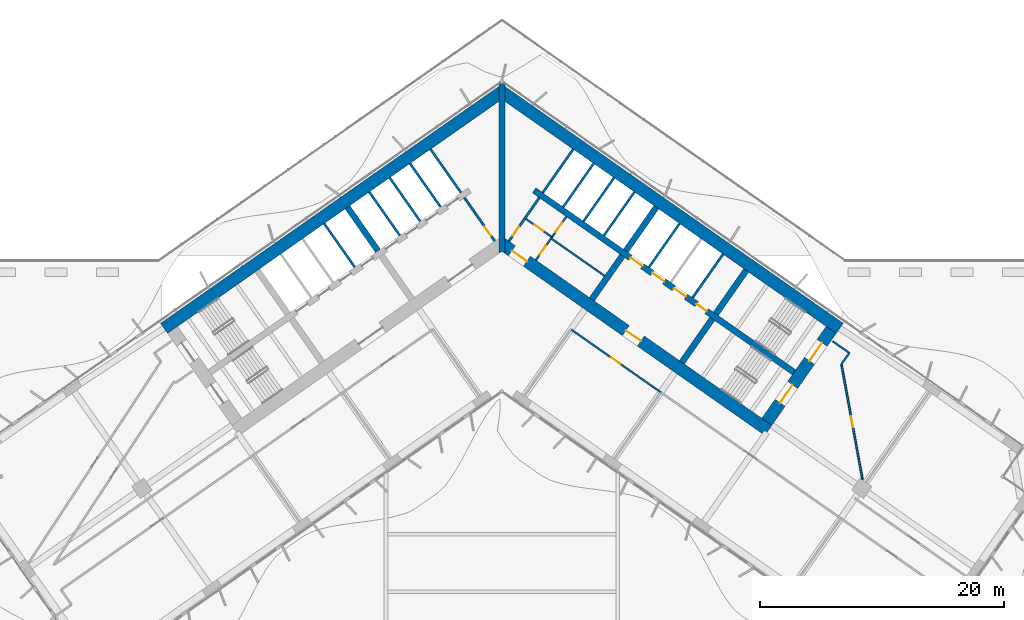
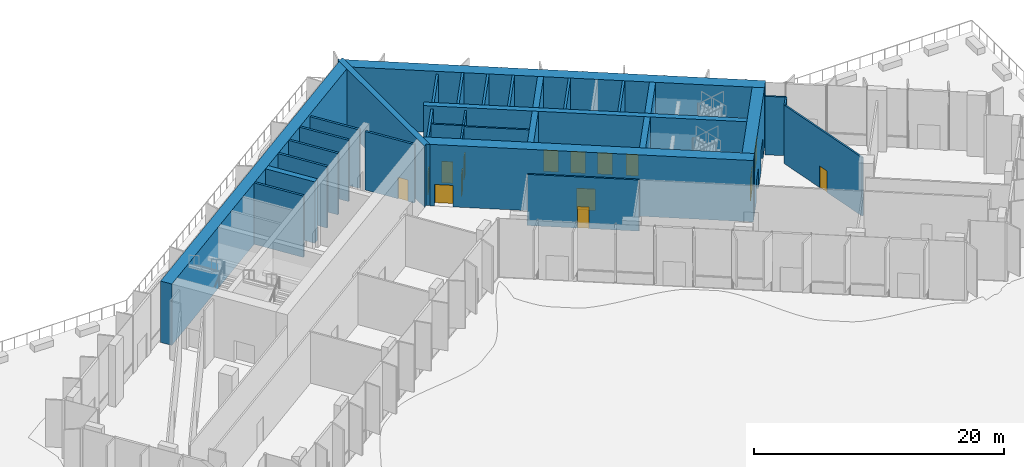
# One storey, part 19 of 27: 31 walls, 15 doors, 15 openings.
"""IFC4 building model written with IfcOpenShell, lengths in metres."""

from ifc_helpers import new_model, si_unit, direction, frame, frame_2d, origin, place, context, subcontext, project, spatial, polyline, rectangle, outline, extrude, material, layer, layer_set, type_object, element, fill, save


model = new_model("IFC4")

# Units and contexts
model_context = context("Model", 3, precision=1e-05, world=origin(), true_north=direction((0.0, 1.0)))
body_context = subcontext(model_context, "Body", "Model", "MODEL_VIEW")
ifc_project = project(units=[si_unit("LENGTHUNIT", "METRE"), si_unit("AREAUNIT", "SQUARE_METRE"), si_unit("VOLUMEUNIT", "CUBIC_METRE"), si_unit("PLANEANGLEUNIT", "RADIAN"), si_unit("MASSUNIT", "GRAM", prefix="KILO")], contexts=[model_context])

# Site, building, storey
site_placement = place(None, origin())
site = spatial("IfcSite", under=ifc_project, at=site_placement, CompositionType="ELEMENT")
building_placement = place(site_placement, origin())
building = spatial("IfcBuilding", under=site, at=building_placement, Name="Tel Ilan Convention Tower", CompositionType="ELEMENT")
storey_placement = place(building_placement, frame((0.0, 0.0, 48.5)))
storey = spatial("IfcBuildingStorey", under=building, at=storey_placement, Name="L07", CompositionType="ELEMENT", Elevation=48.5)

# Wall, openings, doors
ifc_material_1 = material(Name="Gypsum Plasterboard on Steel Stud", Category="steel")
ifc_layer_1 = layer(ifc_material_1, 0.14990234375)
ifc_layer_set_1 = layer_set([ifc_layer_1], Name="Core Room Partition Wall 150 mm EI 60")
wall_type_1 = type_object("IfcWallType", Name="Core Room Partition Wall 150 mm EI 60", PredefinedType="PARTITIONING", material=ifc_layer_set_1)
wall_1_placement = place(storey_placement, frame((2.78515625, -1.9501953125, 0.0), z_axis=(0.0, 0.0, 1.0), x_axis=(0.57356780395, 0.819158088694, 0.0)))
wall_1 = element("IfcWall", 1, at=wall_1_placement, inside=storey, type_object=wall_type_1, Name="L07 core wall wc-v1", PredefinedType="PARTITIONING", context=body_context, shape_type="SweptSolid", body=[
    extrude(rectangle(XDim=4.35009765625, YDim=0.14990234375, at=frame_2d((2.175048828125, 0.0))), origin(), (0.0, 0.0, 1.0), 5.719970703125),
])
opening_1_placement = place(wall_1_placement, frame((0.550048828125, 0.0, 0.0)))
opening_1 = element("IfcOpeningElement", 2, at=opening_1_placement, cuts=wall_1, Name="Opening CD1009", PredefinedType="OPENING", context=body_context, shape_type="SweptSolid", body=[
    extrude(rectangle(XDim=0.89990234375, YDim=2.10009765625, at=frame_2d((0.449951171875, 1.050048828125))), frame((0.0, 0.0849609375, 0.0), z_axis=(0.0, -1.0, 0.0), x_axis=(1.0, 0.0, 0.0)), (0.0, 0.0, 1.0), 0.169921875),
])
opening_2_placement = place(wall_1_placement, frame((2.824951171875, 0.0, 0.0)))
opening_2 = element("IfcOpeningElement", 3, at=opening_2_placement, cuts=wall_1, Name="Opening CD1010", PredefinedType="OPENING", context=body_context, shape_type="SweptSolid", body=[
    extrude(rectangle(XDim=0.89990234375, YDim=2.10009765625, at=frame_2d((0.449951171875, 1.050048828125))), frame((0.0, 0.0849609375, 0.0), z_axis=(0.0, -1.0, 0.0), x_axis=(1.0, 0.0, 0.0)), (0.0, 0.0, 1.0), 0.169921875),
])
ifc_material_2 = material(Name="Laminated Timber Door Leaf", Category="wood")
door_type_1 = type_object("IfcDoorType", Name="Toilet Door 900 x 2100 FD30S", OperationType="NOTDEFINED", PredefinedType="DOOR", material=ifc_material_2)
door_1_placement = place(opening_1_placement, origin())
door_1 = element("IfcDoor", 4, at=door_1_placement, inside=storey, type_object=door_type_1, Name="Women's WC door", OperationType="SINGLE_SWING_RIGHT", OverallHeight=2.10009765625, OverallWidth=0.89990234375, PredefinedType="DOOR", context=body_context, shape_type="SweptSolid", body=[
    extrude(rectangle(XDim=0.89990234375, YDim=2.10009765625, at=frame_2d((0.449951171875, 1.050048828125))), frame((0.0, 0.02490234375, 0.0), z_axis=(0.0, -1.0, 0.0), x_axis=(1.0, 0.0, 0.0)), (0.0, 0.0, 1.0), 0.050048828125),
])
fill(opening_1, door_1)
door_2_placement = place(opening_2_placement, origin())
door_2 = element("IfcDoor", 5, at=door_2_placement, inside=storey, type_object=door_type_1, Name="Men's WC door", OperationType="SINGLE_SWING_RIGHT", OverallHeight=2.10009765625, OverallWidth=0.89990234375, PredefinedType="DOOR", context=body_context, shape_type="SweptSolid", body=[
    extrude(rectangle(XDim=0.89990234375, YDim=2.10009765625, at=frame_2d((0.449951171875, 1.050048828125))), frame((0.0, 0.02490234375, 0.0), z_axis=(0.0, -1.0, 0.0), x_axis=(1.0, 0.0, 0.0)), (0.0, 0.0, 1.0), 0.050048828125),
])
fill(opening_2, door_2)

# Wall, opening, door
wall_2_placement = place(storey_placement, frame((1.974609375, 1.42529296875, 0.0), z_axis=(0.0, 0.0, 1.0), x_axis=(0.819103967032, -0.573645091666, 0.0)))
wall_2 = element("IfcWall", 6, at=wall_2_placement, inside=storey, type_object=wall_type_1, Name="L07 core wall wc-h1", PredefinedType="PARTITIONING", context=body_context, shape_type="SweptSolid", body=[
    extrude(rectangle(XDim=2.599853515625, YDim=0.14990234375, at=frame_2d((1.2998046875, 0.0))), origin(), (0.0, 0.0, 1.0), 5.719970703125),
])
opening_3_placement = place(wall_2_placement, frame((0.85009765625, 0.0, 0.0)))
opening_3 = element("IfcOpeningElement", 7, at=opening_3_placement, cuts=wall_2, Name="Opening CD1008", PredefinedType="OPENING", context=body_context, shape_type="SweptSolid", body=[
    extrude(rectangle(XDim=0.89990234375, YDim=2.10009765625, at=frame_2d((0.449951171875, 1.050048828125))), frame((0.0, 0.0849609375, 0.0), z_axis=(0.0, -1.0, 0.0), x_axis=(1.0, 0.0, 0.0)), (0.0, 0.0, 1.0), 0.169921875),
])
door_3_placement = place(opening_3_placement, origin())
door_3 = element("IfcDoor", 8, at=door_3_placement, inside=storey, type_object=door_type_1, Name="Accessible WC door", OperationType="SINGLE_SWING_RIGHT", OverallHeight=2.10009765625, OverallWidth=0.89990234375, PredefinedType="DOOR", context=body_context, shape_type="SweptSolid", body=[
    extrude(rectangle(XDim=0.89990234375, YDim=2.10009765625, at=frame_2d((0.449951171875, 1.050048828125))), frame((0.0, 0.02490234375, 0.0), z_axis=(0.0, -1.0, 0.0), x_axis=(1.0, 0.0, 0.0)), (0.0, 0.0, 1.0), 0.050048828125),
])
fill(opening_3, door_3)

# Wall
wall_3_placement = place(storey_placement, frame((4.03271484375, -0.16845703125, 0.0), z_axis=(0.0, 0.0, 1.0), x_axis=(0.819146154531, -0.573584847705, 0.0)))
element("IfcWall", 9, at=wall_3_placement, inside=storey, type_object=wall_type_1, Name="L07 core wall wc-h2", PredefinedType="PARTITIONING", context=body_context, shape_type="SweptSolid", body=[
    extrude(rectangle(XDim=5.349853515625, YDim=0.14990234375, at=frame_2d((2.6748046875, 0.0))), origin(), (0.0, 0.0, 1.0), 5.719970703125),
])

# Wall, opening, door
ifc_material_3 = material(Name="Concrete C30/37", Category="concrete")
ifc_layer_2 = layer(ifc_material_3, 0.199951171875)
ifc_layer_set_2 = layer_set([ifc_layer_2], Name="Core Service Room Wall 200 mm C30/37")
wall_type_2 = type_object("IfcWallType", Name="Core Service Room Wall 200 mm C30/37", PredefinedType="SOLIDWALL", material=ifc_layer_set_2)
wall_4_placement = place(storey_placement, frame((-0.573486328125, -0.401611328125, 0.0), z_axis=(0.0, 0.0, 1.0), x_axis=(-0.57356780395, 0.819158088694, 0.0)))
wall_4 = element("IfcWall", 10, at=wall_4_placement, inside=storey, type_object=wall_type_2, Name="L07 core wall apex-W", PredefinedType="SOLIDWALL", context=body_context, shape_type="SweptSolid", body=[
    extrude(rectangle(XDim=4.35009765625, YDim=0.199951171875, at=frame_2d((2.175048828125, 0.0))), origin(), (0.0, 0.0, 1.0), 5.719970703125),
])
opening_4_placement = place(wall_4_placement, frame((0.550048828125, 0.0, 0.0)))
opening_4 = element("IfcOpeningElement", 11, at=opening_4_placement, cuts=wall_4, Name="Opening CD1002", PredefinedType="OPENING", context=body_context, shape_type="SweptSolid", body=[
    extrude(rectangle(XDim=0.89990234375, YDim=2.10009765625, at=frame_2d((0.449951171875, 1.050048828125))), frame((0.0, 0.10986328125, 0.0), z_axis=(0.0, -1.0, 0.0), x_axis=(1.0, 0.0, 0.0)), (0.0, 0.0, 1.0), 0.219970703125),
])
ifc_material_4 = material(Name="Galvanised Steel Door Leaf", Category="steel")
door_type_2 = type_object("IfcDoorType", Name="Service Room Door 900 x 2100 FD60", OperationType="NOTDEFINED", PredefinedType="DOOR", material=ifc_material_4)
door_4_placement = place(opening_4_placement, origin())
door_4 = element("IfcDoor", 12, at=door_4_placement, inside=storey, type_object=door_type_2, Name="Electrical Room door", OperationType="SINGLE_SWING_RIGHT", OverallHeight=2.10009765625, OverallWidth=0.89990234375, PredefinedType="DOOR", context=body_context, shape_type="SweptSolid", body=[
    extrude(rectangle(XDim=0.89990234375, YDim=2.10009765625, at=frame_2d((0.449951171875, 1.050048828125))), frame((0.0, 0.02490234375, 0.0), z_axis=(0.0, -1.0, 0.0), x_axis=(1.0, 0.0, 0.0)), (0.0, 0.0, 1.0), 0.050048828125),
])
fill(opening_4, door_4)

# Wall
wall_5_placement = place(storey_placement, frame((-3.355224609375, 3.5712890625, 0.0), z_axis=(0.0, 0.0, 1.0), x_axis=(-0.57356780395, 0.819158088694, 0.0)))
element("IfcWall", 13, at=wall_5_placement, inside=storey, type_object=wall_type_2, Name="L07 core wall apex-W-b", PredefinedType="SOLIDWALL", context=body_context, shape_type="SweptSolid", body=[
    extrude(rectangle(XDim=4.35009765625, YDim=0.199951171875, at=frame_2d((2.175048828125, 0.0))), origin(), (0.0, 0.0, 1.0), 5.719970703125),
])

# Wall, opening, door
wall_6_placement = place(storey_placement, frame((0.573486328125, -0.401611328125, 0.0), z_axis=(0.0, 0.0, 1.0), x_axis=(0.57356780395, 0.819158088694, 0.0)))
wall_6 = element("IfcWall", 14, at=wall_6_placement, inside=storey, type_object=wall_type_2, Name="L07 core wall apex-E", PredefinedType="SOLIDWALL", context=body_context, shape_type="SweptSolid", body=[
    extrude(rectangle(XDim=4.35009765625, YDim=0.199951171875, at=frame_2d((2.175048828125, 0.0))), origin(), (0.0, 0.0, 1.0), 5.719970703125),
])
opening_5_placement = place(wall_6_placement, frame((0.550048828125, 0.0, 0.0)))
opening_5 = element("IfcOpeningElement", 15, at=opening_5_placement, cuts=wall_6, Name="Opening CD1001", PredefinedType="OPENING", context=body_context, shape_type="SweptSolid", body=[
    extrude(rectangle(XDim=0.89990234375, YDim=2.10009765625, at=frame_2d((0.449951171875, 1.050048828125))), frame((0.0, 0.10986328125, 0.0), z_axis=(0.0, -1.0, 0.0), x_axis=(1.0, 0.0, 0.0)), (0.0, 0.0, 1.0), 0.219970703125),
])
door_5_placement = place(opening_5_placement, origin())
door_5 = element("IfcDoor", 16, at=door_5_placement, inside=storey, type_object=door_type_2, Name="Store Room door", OperationType="SINGLE_SWING_RIGHT", OverallHeight=2.10009765625, OverallWidth=0.89990234375, PredefinedType="DOOR", context=body_context, shape_type="SweptSolid", body=[
    extrude(rectangle(XDim=0.89990234375, YDim=2.10009765625, at=frame_2d((0.449951171875, 1.050048828125))), frame((0.0, 0.02490234375, 0.0), z_axis=(0.0, -1.0, 0.0), x_axis=(1.0, 0.0, 0.0)), (0.0, 0.0, 1.0), 0.050048828125),
])
fill(opening_5, door_5)

# Walls
wall_7_placement = place(storey_placement, frame((3.355224609375, 3.5712890625, 0.0), z_axis=(0.0, 0.0, 1.0), x_axis=(0.57356780395, 0.819158088694, 0.0)))
element("IfcWall", 17, at=wall_7_placement, inside=storey, type_object=wall_type_2, Name="L07 core wall apex-E-b", PredefinedType="SOLIDWALL", context=body_context, shape_type="SweptSolid", body=[
    extrude(rectangle(XDim=4.35009765625, YDim=0.199951171875, at=frame_2d((2.175048828125, 0.0))), origin(), (0.0, 0.0, 1.0), 5.719970703125),
])
ifc_material_5 = material(Name="Concrete C60/75", Category="concrete")
ifc_layer_3 = layer(ifc_material_5, 1.0)
ifc_layer_set_3 = layer_set([ifc_layer_3], Name="Core Shear Wall 1000 mm C60/75")
wall_type_3 = type_object("IfcWallType", Name="Core Shear Wall 1000 mm C60/75", PredefinedType="SHEAR", material=ifc_layer_set_3)
wall_8_placement = place(storey_placement, frame((0.036865234375, 11.8671875, 0.0), z_axis=(0.0, 0.0, 1.0), x_axis=(-0.819155306259, -0.573571777746, 0.0)))
element("IfcWall", 18, at=wall_8_placement, inside=storey, type_object=wall_type_3, Name="L07 core wall W-back", PredefinedType="SHEAR", context=body_context, shape_type="SweptSolid", body=[
    extrude(outline(polyline([(33.8369140625, 0.5), (0.7001953125, 0.499755859375), (0.0, -0.5), (33.8369140625, -0.5), (33.8369140625, 0.5)])), origin(), (0.0, 0.0, 1.0), 6.0),
])
wall_9_placement = place(storey_placement, frame((-0.036865234375, 11.8671875, 0.0), z_axis=(0.0, 0.0, 1.0), x_axis=(0.819155306259, -0.573571777746, 0.0)))
element("IfcWall", 19, at=wall_9_placement, inside=storey, type_object=wall_type_3, Name="L07 core wall E-back", PredefinedType="SHEAR", context=body_context, shape_type="SweptSolid", body=[
    extrude(outline(polyline([(33.8369140625, 0.5), (0.0, 0.5), (0.7001953125, -0.499755859375), (33.8369140625, -0.5), (33.8369140625, 0.5)])), origin(), (0.0, 0.0, 1.0), 6.0),
])

# Wall, openings, doors
wall_10_placement = place(storey_placement, frame((-0.036865234375, -0.584716796875, 0.0), z_axis=(0.0, 0.0, 1.0), x_axis=(0.819157152511, -0.573569140985, 0.0)))
wall_10 = element("IfcWall", 20, at=wall_10_placement, inside=storey, type_object=wall_type_3, Name="L07 core wall E-front", PredefinedType="SHEAR", context=body_context, shape_type="SweptSolid", body=[
    extrude(outline(polyline([(26.69482421875, 0.499755859375), (0.0, 0.5), (0.7001953125, -0.499755859375), (26.69482421875, -0.500244140625), (26.69482421875, 0.499755859375)])), origin(), (0.0, 0.0, 1.0), 6.0),
])
opening_6_placement = place(wall_10_placement, frame((1.044921875, 0.0, 0.0)))
opening_6 = element("IfcOpeningElement", 21, at=opening_6_placement, cuts=wall_10, Name="Opening CD1003", PredefinedType="OPENING", context=body_context, shape_type="SweptSolid", body=[
    extrude(rectangle(XDim=1.5, YDim=2.10009765625, at=frame_2d((0.75, 1.050048828125))), frame((0.0, 0.510009765625, 0.0), z_axis=(0.0, -1.0, 0.0), x_axis=(1.0, 0.0, 0.0)), (0.0, 0.0, 1.0), 1.02001953125),
])
opening_7_placement = place(wall_10_placement, frame((12.44482421875, 0.0, 0.0)))
opening_7 = element("IfcOpeningElement", 22, at=opening_7_placement, cuts=wall_10, Name="Opening CD1004", PredefinedType="OPENING", context=body_context, shape_type="SweptSolid", body=[
    extrude(rectangle(XDim=1.5, YDim=2.10009765625, at=frame_2d((0.75, 1.050048828125))), frame((0.0, 0.510009765625, 0.0), z_axis=(0.0, -1.0, 0.0), x_axis=(1.0, 0.0, 0.0)), (0.0, 0.0, 1.0), 1.02001953125),
])
ifc_material_6 = material(Name="Glazed Aluminium Door Leaf", Category="aluminium")
door_type_3 = type_object("IfcDoorType", Name="Lobby Opening Door 1500 x 2100 FD60S", OperationType="NOTDEFINED", PredefinedType="DOOR", material=ifc_material_6)
door_6_placement = place(opening_7_placement, origin())
door_6 = element("IfcDoor", 23, at=door_6_placement, inside=storey, type_object=door_type_3, Name="Firefighting Lobby door", OperationType="DOUBLE_DOOR_SINGLE_SWING", OverallHeight=2.10009765625, OverallWidth=1.5, PredefinedType="DOOR", context=body_context, shape_type="SweptSolid", body=[
    extrude(rectangle(XDim=1.5, YDim=2.10009765625, at=frame_2d((0.75, 1.050048828125))), frame((0.0, 0.02490234375, 0.0), z_axis=(0.0, -1.0, 0.0), x_axis=(1.0, 0.0, 0.0)), (0.0, 0.0, 1.0), 0.050048828125),
])
fill(opening_7, door_6)
ifc_material_7 = material(Name="Laminated Timber Door Leaf", Category="wood")
door_type_4 = type_object("IfcDoorType", Name="Toilet Door 1500 x 2100 FD30S", OperationType="NOTDEFINED", PredefinedType="DOOR", material=ifc_material_7)
door_7_placement = place(opening_6_placement, origin())
door_7 = element("IfcDoor", 24, at=door_7_placement, inside=storey, type_object=door_type_4, Name="WC Lobby door", OperationType="SINGLE_SWING_RIGHT", OverallHeight=2.10009765625, OverallWidth=1.5, PredefinedType="DOOR", context=body_context, shape_type="SweptSolid", body=[
    extrude(rectangle(XDim=1.5, YDim=2.10009765625, at=frame_2d((0.75, 1.050048828125))), frame((0.0, 0.02490234375, 0.0), z_axis=(0.0, -1.0, 0.0), x_axis=(1.0, 0.0, 0.0)), (0.0, 0.0, 1.0), 0.050048828125),
])
fill(opening_6, door_7)

wall_11_placement = place(storey_placement, frame((21.70751953125, -15.19970703125, 0.0), z_axis=(0.0, 0.0, 1.0), x_axis=(0.573576324356, 0.819152122709, 0.0)))
wall_11 = element("IfcWall", 25, at=wall_11_placement, inside=storey, type_object=wall_type_3, Name="L07 core wall E-end", PredefinedType="SHEAR", context=body_context, shape_type="SweptSolid", body=[
    extrude(outline(polyline([(9.199951171875, 0.5), (0.0, 0.5), (0.0, -0.5), (9.199951171875, -0.5), (9.199951171875, 0.5)])), origin(), (0.0, 0.0, 1.0), 6.0),
])
opening_8_placement = place(wall_11_placement, frame((6.10009765625, 0.0, 0.0)))
opening_8 = element("IfcOpeningElement", 26, at=opening_8_placement, cuts=wall_11, Name="Opening SD1003", PredefinedType="OPENING", context=body_context, shape_type="SweptSolid", body=[
    extrude(rectangle(XDim=1.800048828125, YDim=2.10009765625, at=frame_2d((0.89990234375, 1.050048828125))), frame((0.0, 0.510009765625, 0.0), z_axis=(0.0, -1.0, 0.0), x_axis=(1.0, 0.0, 0.0)), (0.0, 0.0, 1.0), 1.02001953125),
])
opening_9_placement = place(wall_11_placement, frame((1.89990234375, 0.0, 0.0)))
opening_9 = element("IfcOpeningElement", 27, at=opening_9_placement, cuts=wall_11, Name="Opening SD1004", PredefinedType="OPENING", context=body_context, shape_type="SweptSolid", body=[
    extrude(rectangle(XDim=1.800048828125, YDim=2.10009765625, at=frame_2d((0.89990234375, 1.050048828125))), frame((0.0, 0.510009765625, 0.0), z_axis=(0.0, -1.0, 0.0), x_axis=(1.0, 0.0, 0.0)), (0.0, 0.0, 1.0), 1.02001953125),
])
ifc_material_8 = material(Name="Galvanised Steel Door Leaf", Category="steel")
door_type_5 = type_object("IfcDoorType", Name="Stair Fire Door 1800 x 2100 FD60S", OperationType="NOTDEFINED", PredefinedType="DOOR", material=ifc_material_8)
door_8_placement = place(opening_8_placement, origin())
door_8 = element("IfcDoor", 28, at=door_8_placement, inside=storey, type_object=door_type_5, Name="Stair S3 door", OperationType="DOUBLE_DOOR_SINGLE_SWING", OverallHeight=2.10009765625, OverallWidth=1.800048828125, PredefinedType="DOOR", context=body_context, shape_type="SweptSolid", body=[
    extrude(rectangle(XDim=1.800048828125, YDim=2.10009765625, at=frame_2d((0.89990234375, 1.050048828125))), frame((0.0, 0.02490234375, 0.0), z_axis=(0.0, -1.0, 0.0), x_axis=(1.0, 0.0, 0.0)), (0.0, 0.0, 1.0), 0.050048828125),
])
fill(opening_8, door_8)
door_9_placement = place(opening_9_placement, origin())
door_9 = element("IfcDoor", 29, at=door_9_placement, inside=storey, type_object=door_type_5, Name="Stair S4 door", OperationType="DOUBLE_DOOR_SINGLE_SWING", OverallHeight=2.10009765625, OverallWidth=1.800048828125, PredefinedType="DOOR", context=body_context, shape_type="SweptSolid", body=[
    extrude(rectangle(XDim=1.800048828125, YDim=2.10009765625, at=frame_2d((0.89990234375, 1.050048828125))), frame((0.0, 0.02490234375, 0.0), z_axis=(0.0, -1.0, 0.0), x_axis=(1.0, 0.0, 0.0)), (0.0, 0.0, 1.0), 0.050048828125),
])
fill(opening_9, door_9)

# Walls
ifc_material_9 = material(Name="Concrete C60/75", Category="concrete")
ifc_layer_4 = layer(ifc_material_9, 0.5)
ifc_layer_set_4 = layer_set([ifc_layer_4], Name="Core Shear Wall 500 mm C60/75")
wall_type_4 = type_object("IfcWallType", Name="Core Shear Wall 500 mm C60/75", PredefinedType="SHEAR", material=ifc_layer_set_4)
wall_12_placement = place(storey_placement, frame((-10.154296875, -1.189208984375, 0.0), z_axis=(0.0, 0.0, 1.0), x_axis=(-0.573594173421, 0.819139624372, 0.0)))
element("IfcWall", 30, at=wall_12_placement, inside=storey, type_object=wall_type_4, Name="L07 core wall W-cross1-2", PredefinedType="SHEAR", context=body_context, shape_type="SweptSolid", body=[
    extrude(outline(polyline([(4.349853515625, -0.25), (4.349853515625, 0.25), (-0.000244140625, 0.25), (-0.000244140625, -0.25), (4.349853515625, -0.25)])), origin(), (0.0, 0.0, 1.0), 6.0),
])
wall_13_placement = place(storey_placement, frame((7.372314453125, -5.162109375, 0.0), z_axis=(0.0, 0.0, 1.0), x_axis=(0.573594173421, 0.819139624372, 0.0)))
element("IfcWall", 31, at=wall_13_placement, inside=storey, type_object=wall_type_4, Name="L07 core wall E-cross1-1", PredefinedType="SHEAR", context=body_context, shape_type="SweptSolid", body=[
    extrude(outline(polyline([(0.0, 0.25), (0.0, -0.250244140625), (4.349853515625, -0.25), (4.349853515625, 0.25), (0.0, 0.25)])), origin(), (0.0, 0.0, 1.0), 6.0),
])
wall_14_placement = place(storey_placement, frame((10.154296875, -1.189208984375, 0.0), z_axis=(0.0, 0.0, 1.0), x_axis=(0.573594173421, 0.819139624372, 0.0)))
element("IfcWall", 32, at=wall_14_placement, inside=storey, type_object=wall_type_4, Name="L07 core wall E-cross1-2", PredefinedType="SHEAR", context=body_context, shape_type="SweptSolid", body=[
    extrude(outline(polyline([(4.349853515625, -0.25), (4.349853515625, 0.25), (-0.000244140625, 0.25), (-0.000244140625, -0.25), (4.349853515625, -0.25)])), origin(), (0.0, 0.0, 1.0), 6.0),
])
wall_15_placement = place(storey_placement, frame((14.74462890625, -10.324462890625, 0.0), z_axis=(0.0, 0.0, 1.0), x_axis=(0.57356780395, 0.819158088694, 0.0)))
element("IfcWall", 33, at=wall_15_placement, inside=storey, type_object=wall_type_4, Name="L07 core wall E-cross2-1", PredefinedType="SHEAR", context=body_context, shape_type="SweptSolid", body=[
    extrude(outline(polyline([(0.0, 0.25), (0.0, -0.25), (4.35009765625, -0.250244140625), (4.35009765625, 0.25), (0.0, 0.25)])), origin(), (0.0, 0.0, 1.0), 6.0),
])
wall_16_placement = place(storey_placement, frame((17.526611328125, -6.3515625, 0.0), z_axis=(0.0, 0.0, 1.0), x_axis=(0.573530143085, 0.819184457233, 0.0)))
element("IfcWall", 34, at=wall_16_placement, inside=storey, type_object=wall_type_4, Name="L07 core wall E-cross2-2", PredefinedType="SHEAR", context=body_context, shape_type="SweptSolid", body=[
    extrude(outline(polyline([(4.35009765625, -0.250244140625), (4.35009765625, 0.249755859375), (0.0, 0.25), (0.0, -0.25), (4.35009765625, -0.250244140625)])), origin(), (0.0, 0.0, 1.0), 6.0),
])

# Wall, openings, doors
wall_17_placement = place(storey_placement, frame((2.638427734375, 3.76806640625, 0.0), z_axis=(0.0, 0.0, 1.0), x_axis=(0.819148977158, -0.573580816643, 0.0)))
wall_17 = element("IfcWall", 35, at=wall_17_placement, inside=storey, type_object=wall_type_4, Name="L07 core wall E-spine", PredefinedType="SHEAR", context=body_context, shape_type="SweptSolid", body=[
    extrude(outline(polyline([(0.0, 0.25), (0.0, -0.25), (26.0, -0.249755859375), (26.0, 0.250244140625), (0.0, 0.25)])), origin(), (0.0, 0.0, 1.0), 6.0),
])
opening_10_placement = place(wall_17_placement, frame((9.637451171875, 0.0, 0.0)))
opening_10 = element("IfcOpeningElement", 36, at=opening_10_placement, cuts=wall_17, Name="Opening LD1001", PredefinedType="OPENING", context=body_context, shape_type="SweptSolid", body=[
    extrude(rectangle(XDim=1.199951171875, YDim=2.10009765625, at=frame_2d((0.60009765625, 1.050048828125))), frame((0.0, 0.260009765625, 0.0), z_axis=(0.0, -1.0, 0.0), x_axis=(1.0, 0.0, 0.0)), (0.0, 0.0, 1.0), 0.52001953125),
])
opening_11_placement = place(wall_17_placement, frame((11.8125, 0.0, 0.0)))
opening_11 = element("IfcOpeningElement", 37, at=opening_11_placement, cuts=wall_17, Name="Opening LD1002", PredefinedType="OPENING", context=body_context, shape_type="SweptSolid", body=[
    extrude(rectangle(XDim=1.199951171875, YDim=2.10009765625, at=frame_2d((0.60009765625, 1.050048828125))), frame((0.0, 0.260009765625, 0.0), z_axis=(0.0, -1.0, 0.0), x_axis=(1.0, 0.0, 0.0)), (0.0, 0.0, 1.0), 0.52001953125),
])
opening_12_placement = place(wall_17_placement, frame((13.987548828125, 0.0, 0.0)))
opening_12 = element("IfcOpeningElement", 38, at=opening_12_placement, cuts=wall_17, Name="Opening LD1003", PredefinedType="OPENING", context=body_context, shape_type="SweptSolid", body=[
    extrude(rectangle(XDim=1.199951171875, YDim=2.10009765625, at=frame_2d((0.60009765625, 1.050048828125))), frame((0.0, 0.260009765625, 0.0), z_axis=(0.0, -1.0, 0.0), x_axis=(1.0, 0.0, 0.0)), (0.0, 0.0, 1.0), 0.52001953125),
])
opening_13_placement = place(wall_17_placement, frame((16.262451171875, 0.0, 0.0)))
opening_13 = element("IfcOpeningElement", 39, at=opening_13_placement, cuts=wall_17, Name="Opening CD1007", PredefinedType="OPENING", context=body_context, shape_type="SweptSolid", body=[
    extrude(rectangle(XDim=1.0, YDim=2.10009765625, at=frame_2d((0.5, 1.050048828125))), frame((0.0, 0.260009765625, 0.0), z_axis=(0.0, -1.0, 0.0), x_axis=(1.0, 0.0, 0.0)), (0.0, 0.0, 1.0), 0.52001953125),
])
ifc_material_10 = material(Name="Stainless Steel Sliding Door Leaf", Category="steel")
door_type_6 = type_object("IfcDoorType", Name="Lift Landing Door 1200 x 2100 FD120", OperationType="NOTDEFINED", PredefinedType="DOOR", material=ifc_material_10)
door_10_placement = place(opening_10_placement, origin())
door_10 = element("IfcDoor", 40, at=door_10_placement, inside=storey, type_object=door_type_6, Name="Lift FL1 landing door", OperationType="SLIDING_TO_LEFT", OverallHeight=2.10009765625, OverallWidth=1.199951171875, PredefinedType="DOOR", context=body_context, shape_type="SweptSolid", body=[
    extrude(rectangle(XDim=1.199951171875, YDim=2.10009765625, at=frame_2d((0.60009765625, 1.050048828125))), frame((0.0, 0.02490234375, 0.0), z_axis=(0.0, -1.0, 0.0), x_axis=(1.0, 0.0, 0.0)), (0.0, 0.0, 1.0), 0.050048828125),
])
fill(opening_10, door_10)
door_11_placement = place(opening_11_placement, origin())
door_11 = element("IfcDoor", 41, at=door_11_placement, inside=storey, type_object=door_type_6, Name="Lift FL2 landing door", OperationType="SLIDING_TO_RIGHT", OverallHeight=2.10009765625, OverallWidth=1.199951171875, PredefinedType="DOOR", context=body_context, shape_type="SweptSolid", body=[
    extrude(rectangle(XDim=1.199951171875, YDim=2.10009765625, at=frame_2d((0.60009765625, 1.050048828125))), frame((0.0, 0.02490234375, 0.0), z_axis=(0.0, -1.0, 0.0), x_axis=(1.0, 0.0, 0.0)), (0.0, 0.0, 1.0), 0.050048828125),
])
fill(opening_11, door_11)
door_12_placement = place(opening_12_placement, origin())
door_12 = element("IfcDoor", 42, at=door_12_placement, inside=storey, type_object=door_type_6, Name="Lift FL3 landing door", OperationType="SLIDING_TO_LEFT", OverallHeight=2.10009765625, OverallWidth=1.199951171875, PredefinedType="DOOR", context=body_context, shape_type="SweptSolid", body=[
    extrude(rectangle(XDim=1.199951171875, YDim=2.10009765625, at=frame_2d((0.60009765625, 1.050048828125))), frame((0.0, 0.02490234375, 0.0), z_axis=(0.0, -1.0, 0.0), x_axis=(1.0, 0.0, 0.0)), (0.0, 0.0, 1.0), 0.050048828125),
])
fill(opening_12, door_12)
ifc_material_11 = material(Name="Galvanised Steel Door Leaf", Category="steel")
door_type_7 = type_object("IfcDoorType", Name="Service Room Door 1000 x 2100 FD60", OperationType="NOTDEFINED", PredefinedType="DOOR", material=ifc_material_11)
door_13_placement = place(opening_13_placement, origin())
door_13 = element("IfcDoor", 43, at=door_13_placement, inside=storey, type_object=door_type_7, Name="Plant Room door", OperationType="SINGLE_SWING_RIGHT", OverallHeight=2.10009765625, OverallWidth=1.0, PredefinedType="DOOR", context=body_context, shape_type="SweptSolid", body=[
    extrude(rectangle(XDim=1.0, YDim=2.10009765625, at=frame_2d((0.5, 1.050048828125))), frame((0.0, 0.02490234375, 0.0), z_axis=(0.0, -1.0, 0.0), x_axis=(1.0, 0.0, 0.0)), (0.0, 0.0, 1.0), 0.050048828125),
])
fill(opening_13, door_13)

# Wall
wall_18_placement = place(storey_placement, frame((0.0, -1.395751953125, 0.0), z_axis=(0.0, 0.0, 1.0), x_axis=(0.0, 1.0, 0.0)))
element("IfcWall", 44, at=wall_18_placement, inside=storey, type_object=wall_type_4, Name="L07 core wall K-central", PredefinedType="SHEAR", context=body_context, shape_type="SweptSolid", body=[
    extrude(outline(polyline([(0.0, -0.25), (0.175048828125, -0.25), (1.220703125, -0.25), (12.451904296875, -0.25), (13.84765625, -0.25), (13.85693359375, -0.25), (13.96826171875, -0.172119140625), (13.84765625, 0.0), (13.96826171875, 0.172119140625), (13.85693359375, 0.25), (13.84765625, 0.25), (12.451904296875, 0.25), (1.220703125, 0.25), (0.175048828125, 0.25), (0.0, 0.25), (0.175048828125, 0.0), (0.0, -0.25)])), origin(), (0.0, 0.0, 1.0), 6.0),
])

# Wall, opening, door
ifc_material_12 = material(Name="Plasterboard on Steel Studs", Category="steel")
ifc_layer_5 = layer(ifc_material_12, 0.14990234375)
ifc_layer_set_5 = layer_set([ifc_layer_5], Name="Fire-rated Partition 150 EI 60")
wall_type_5 = type_object("IfcWallType", Name="Fire-rated Partition 150 EI 60", PredefinedType="PARTITIONING", material=ifc_layer_set_5)
wall_19_placement = place(storey_placement, frame((13.025634765625, -12.782958984375, 0.0), z_axis=(0.0, 0.0, 1.0), x_axis=(-0.81915291695, 0.57357519006, 0.0)))
wall_19 = element("IfcWall", 45, at=wall_19_placement, inside=storey, type_object=wall_type_5, Name="Partition 002", PredefinedType="PARTITIONING", context=body_context, shape_type="SweptSolid", body=[
    extrude(rectangle(XDim=9.001953125, YDim=0.14990234375, at=frame_2d((4.5009765625, 0.0))), origin(), (0.0, 0.0, 1.0), 5.0),
])
opening_14_placement = place(wall_19_placement, frame((4.051025390625, 0.0, 0.0)))
opening_14 = element("IfcOpeningElement", 46, at=opening_14_placement, cuts=wall_19, Name="Opening L07-004", PredefinedType="OPENING", context=body_context, shape_type="SweptSolid", body=[
    extrude(rectangle(XDim=0.89990234375, YDim=2.10009765625, at=frame_2d((0.449951171875, 1.050048828125))), frame((0.0, 0.0849609375, 0.0), z_axis=(0.0, -1.0, 0.0), x_axis=(1.0, 0.0, 0.0)), (0.0, 0.0, 1.0), 0.169921875),
])
ifc_material_13 = material(Name="Timber Door Leaf in Steel Frame", Category="steel")
door_type_8 = type_object("IfcDoorType", Name="Room Fire Door 900x2100", OperationType="NOTDEFINED", PredefinedType="DOOR", material=ifc_material_13)
door_14_placement = place(opening_14_placement, origin())
door_14 = element("IfcDoor", 47, at=door_14_placement, inside=storey, type_object=door_type_8, Name="Door L07-004", OperationType="SINGLE_SWING_LEFT", OverallHeight=2.10009765625, OverallWidth=0.89990234375, PredefinedType="DOOR", context=body_context, shape_type="SweptSolid", body=[
    extrude(rectangle(XDim=0.89990234375, YDim=2.10009765625, at=frame_2d((0.449951171875, 1.050048828125))), frame((0.0, 0.02490234375, 0.0), z_axis=(0.0, -1.0, 0.0), x_axis=(1.0, 0.0, 0.0)), (0.0, 0.0, 1.0), 0.050048828125),
])
fill(opening_14, door_14)

wall_20_placement = place(storey_placement, frame((29.550537109375, -19.934814453125, 0.0), z_axis=(0.0, 0.0, 1.0), x_axis=(-0.179754609775, 0.983711482227, 0.0)))
wall_20 = element("IfcWall", 48, at=wall_20_placement, inside=storey, type_object=wall_type_5, Name="Partition 014", PredefinedType="PARTITIONING", context=body_context, shape_type="SweptSolid", body=[
    extrude(rectangle(XDim=9.614501953125, YDim=0.14990234375, at=frame_2d((4.80712890625, 0.0))), origin(), (0.0, 0.0, 1.0), 5.719970703125),
])
opening_15_placement = place(wall_20_placement, frame((4.357177734375, 0.0, 0.0)))
opening_15 = element("IfcOpeningElement", 49, at=opening_15_placement, cuts=wall_20, Name="Opening L07-009", PredefinedType="OPENING", context=body_context, shape_type="SweptSolid", body=[
    extrude(rectangle(XDim=0.89990234375, YDim=2.10009765625, at=frame_2d((0.449951171875, 1.050048828125))), frame((0.0, 0.0849609375, 0.0), z_axis=(0.0, -1.0, 0.0), x_axis=(1.0, 0.0, 0.0)), (0.0, 0.0, 1.0), 0.169921875),
])
door_15_placement = place(opening_15_placement, origin())
door_15 = element("IfcDoor", 50, at=door_15_placement, inside=storey, type_object=door_type_8, Name="Door L07-009", OperationType="SINGLE_SWING_LEFT", OverallHeight=2.10009765625, OverallWidth=0.89990234375, PredefinedType="DOOR", context=body_context, shape_type="SweptSolid", body=[
    extrude(rectangle(XDim=0.89990234375, YDim=2.10009765625, at=frame_2d((0.449951171875, 1.050048828125))), frame((0.0, 0.02490234375, 0.0), z_axis=(0.0, -1.0, 0.0), x_axis=(1.0, 0.0, 0.0)), (0.0, 0.0, 1.0), 0.050048828125),
])
fill(opening_15, door_15)

# Walls
wall_21_placement = place(storey_placement, frame((27.822265625, -10.476806640625, 0.0), z_axis=(0.0, 0.0, 1.0), x_axis=(0.57350608257, 0.819201302035, 0.0)))
element("IfcWall", 51, at=wall_21_placement, inside=storey, type_object=wall_type_5, Name="Partition 015", PredefinedType="PARTITIONING", context=body_context, shape_type="SweptSolid", body=[
    extrude(rectangle(XDim=1.123779296875, YDim=0.14990234375, at=frame_2d((0.56201171875, 0.0))), origin(), (0.0, 0.0, 1.0), 5.719970703125),
])
wall_22_placement = place(storey_placement, frame((28.466796875, -9.55615234375, 0.0), z_axis=(0.0, 0.0, 1.0), x_axis=(-0.819109000826, 0.573637903879, 0.0)))
element("IfcWall", 52, at=wall_22_placement, inside=storey, type_object=wall_type_5, Name="Partition 016", PredefinedType="PARTITIONING", context=body_context, shape_type="SweptSolid", body=[
    extrude(rectangle(XDim=1.679931640625, YDim=0.14990234375, at=frame_2d((0.83984375, 0.0))), origin(), (0.0, 0.0, 1.0), 5.719970703125),
])
ifc_material_14 = material(Name="Concrete C30/37", Category="concrete")
ifc_layer_6 = layer(ifc_material_14, 0.199951171875)
ifc_layer_set_6 = layer_set([ifc_layer_6], Name="Lift Shaft Wall 200 mm C30/37")
wall_type_6 = type_object("IfcWallType", Name="Lift Shaft Wall 200 mm C30/37", PredefinedType="SOLIDWALL", material=ifc_layer_set_6)
wall_23_placement = place(storey_placement, frame((-5.0244140625, 2.402587890625, 0.0), z_axis=(0.0, 0.0, 1.0), x_axis=(-0.573530143085, 0.819184457233, 0.0)))
element("IfcWall", 53, at=wall_23_placement, inside=storey, type_object=wall_type_6, Name="L07 core wall bank-W1-p0", PredefinedType="SOLIDWALL", context=body_context, shape_type="SweptSolid", body=[
    extrude(rectangle(XDim=4.35009765625, YDim=0.199951171875, at=frame_2d((2.175048828125, 0.0))), origin(), (0.0, 0.0, 1.0), 6.0),
])
for number, where, z_axis, x_axis, name in (
    (54, (-6.693359375, 1.234130859375, 0.0), (0.0, 0.0, 1.0), (-0.573594173421, 0.819139624372, 0.0), "L07 core wall bank-W1-p1"),
    (55, (-8.3623046875, 0.0654296875, 0.0), (0.0, 0.0, 1.0), (-0.573594173421, 0.819139624372, 0.0), "L07 core wall bank-W1-p2"),
    (56, (-12.05859375, -2.52294921875, 0.0), (0.0, 0.0, 1.0), (-0.573594173421, 0.819139624372, 0.0), "L07 core wall bank-W2-p0"),
):
    element("IfcWall", number, at=place(storey_placement, frame(where, z_axis=z_axis, x_axis=x_axis)), inside=storey, type_object=wall_type_6, Name=name, PredefinedType="SOLIDWALL", context=body_context, shape_type="SweptSolid", body=[
        extrude(rectangle(XDim=4.349853515625, YDim=0.199951171875, at=frame_2d((2.1748046875, 0.0))), origin(), (0.0, 0.0, 1.0), 6.0),
    ])
wall_24_placement = place(storey_placement, frame((5.0244140625, 2.402587890625, 0.0), z_axis=(0.0, 0.0, 1.0), x_axis=(0.573530143085, 0.819184457233, 0.0)))
element("IfcWall", 57, at=wall_24_placement, inside=storey, type_object=wall_type_6, Name="L07 core wall bank-E1-p0", PredefinedType="SOLIDWALL", context=body_context, shape_type="SweptSolid", body=[
    extrude(rectangle(XDim=4.35009765625, YDim=0.199951171875, at=frame_2d((2.175048828125, 0.0))), origin(), (0.0, 0.0, 1.0), 6.0),
])
for number, where, z_axis, x_axis, name in (
    (58, (6.693359375, 1.234130859375, 0.0), (0.0, 0.0, 1.0), (0.573594173421, 0.819139624372, 0.0), "L07 core wall bank-E1-p1"),
    (59, (8.3623046875, 0.0654296875, 0.0), (0.0, 0.0, 1.0), (0.573594173421, 0.819139624372, 0.0), "L07 core wall bank-E1-p2"),
    (60, (12.05859375, -2.52294921875, 0.0), (0.0, 0.0, 1.0), (0.573594173421, 0.819139624372, 0.0), "L07 core wall bank-E2-p0"),
    (61, (15.6220703125, -5.017822265625, 0.0), (0.0, 0.0, 1.0), (0.573594173421, 0.819139624372, 0.0), "L07 core wall bank-E2-p2"),
):
    element("IfcWall", number, at=place(storey_placement, frame(where, z_axis=z_axis, x_axis=x_axis)), inside=storey, type_object=wall_type_6, Name=name, PredefinedType="SOLIDWALL", context=body_context, shape_type="SweptSolid", body=[
        extrude(rectangle(XDim=4.349853515625, YDim=0.199951171875, at=frame_2d((2.1748046875, 0.0))), origin(), (0.0, 0.0, 1.0), 6.0),
    ])

save(model, "model.ifc")
